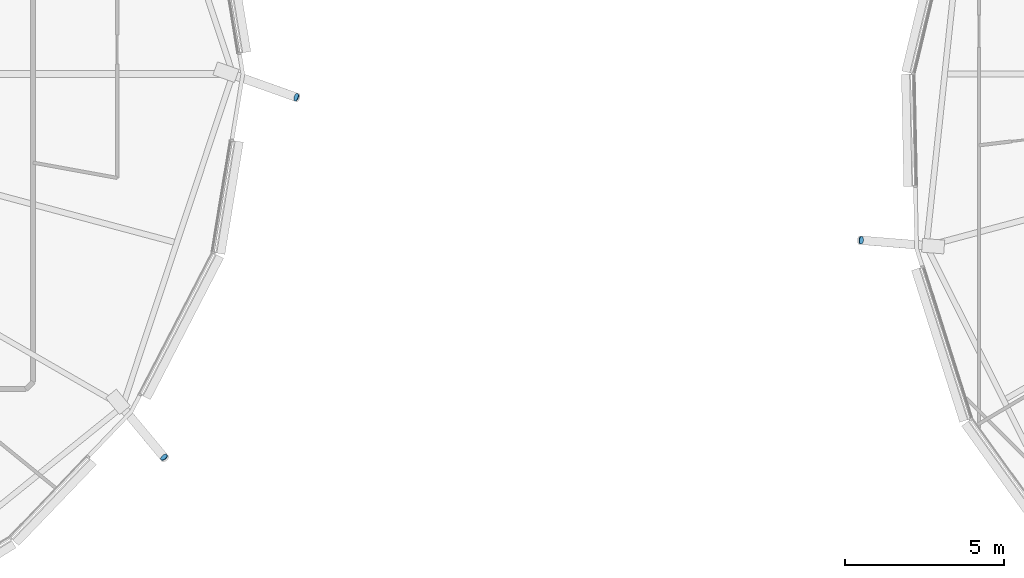
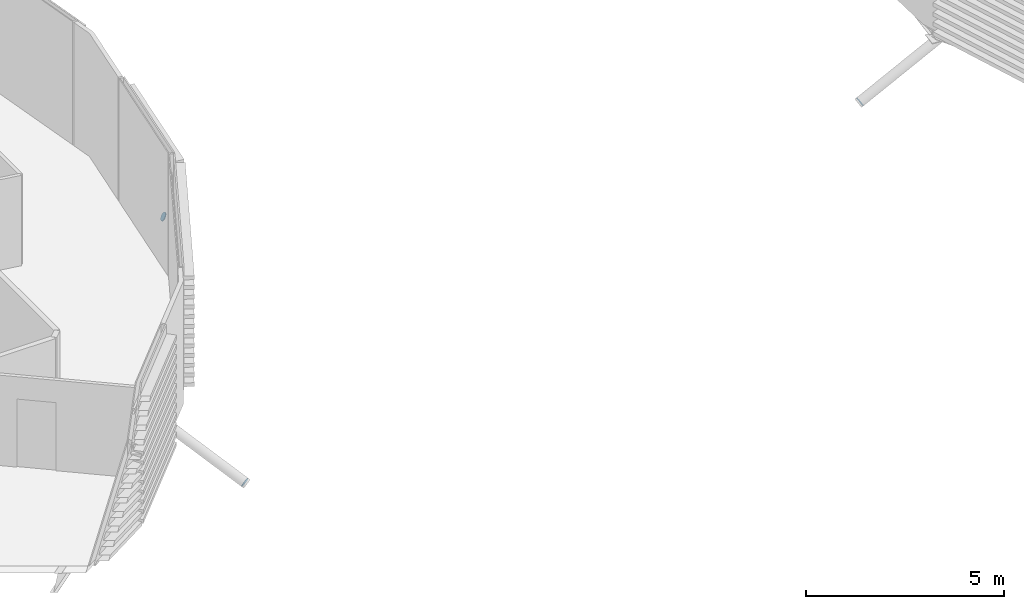
# One storey, part 27 of 38: 3 discrete accessories.
"""IFC4 building model written with IfcOpenShell, lengths in metres."""

from ifc_helpers import new_model, si_unit, direction, frame, origin, origin_2d, place, context, subcontext, project, spatial, circle, extrude, material, material_profile, profile_set, type_object, element, save


model = new_model("IFC4")

# Units and contexts
model_context = context("Model", 3, precision=1e-05, world=origin(), true_north=direction((0.0, 1.0)))
body_context = subcontext(model_context, "Body", "Model", "MODEL_VIEW")
ifc_project = project(units=[si_unit("LENGTHUNIT", "METRE"), si_unit("AREAUNIT", "SQUARE_METRE"), si_unit("VOLUMEUNIT", "CUBIC_METRE"), si_unit("PLANEANGLEUNIT", "RADIAN"), si_unit("MASSUNIT", "GRAM", prefix="KILO")], contexts=[model_context])

# Site, building, storey
site_placement = place(None, origin())
site = spatial("IfcSite", under=ifc_project, at=site_placement, CompositionType="ELEMENT")
building_placement = place(site_placement, origin())
building = spatial("IfcBuilding", under=site, at=building_placement, Name="Rimbun Link Towers", CompositionType="ELEMENT")
storey_placement = place(building_placement, frame((0.0, 0.0, 185.5)))
storey = spatial("IfcBuildingStorey", under=building, at=storey_placement, Name="L45", CompositionType="ELEMENT", Elevation=185.5)

# Discrete accessories
ifc_material = material(Name="Steel S355J2H", Category="steel")
ifc_material_profile = material_profile(ifc_material, circle(Radius=0.1240234375, at=origin_2d()), Name="PL D248")
ifc_profile_set = profile_set([ifc_material_profile], Name="Steel S355J2H")
discrete_accessory_type = type_object("IfcDiscreteAccessoryType", Name="Link foot sealing plate D248X20", PredefinedType="BRACKET", material=ifc_profile_set)
for number, where, z_axis, x_axis, name in (
    (1, (-8.21630859375, -0.7265625, -2.015869140625), (0.820681655452, -0.293975518371, -0.489959197285), (0.337226361594, 0.941423592782, 0.0), "Link foot sealing plate T1 L45 00"),
    (2, (-12.3681640625, -12.029296875, -1.9033203125), (0.546106853226, -0.655328223871, -0.521835437527), (0.768221279597, 0.640184399664, 0.0), "Link foot sealing plate T1 L45 22"),
    (3, (9.53759765625, -5.22119140625, -1.96044921875), (-0.855888994553, 0.061134928182, -0.513533396732), (-0.071247049988, -0.997458699831, 0.0), "Link foot sealing plate T2 L45 10"),
):
    element("IfcDiscreteAccessory", number, at=place(storey_placement, frame(where, z_axis=z_axis, x_axis=x_axis)), inside=storey, type_object=discrete_accessory_type, Name=name, PredefinedType="BRACKET", context=body_context, shape_type="SweptSolid", body=[
        extrude(circle(Radius=0.1240234375, at=origin_2d()), origin(), (0.0, 0.0, 1.0), 0.02001953125),
    ])

save(model, "model.ifc")
